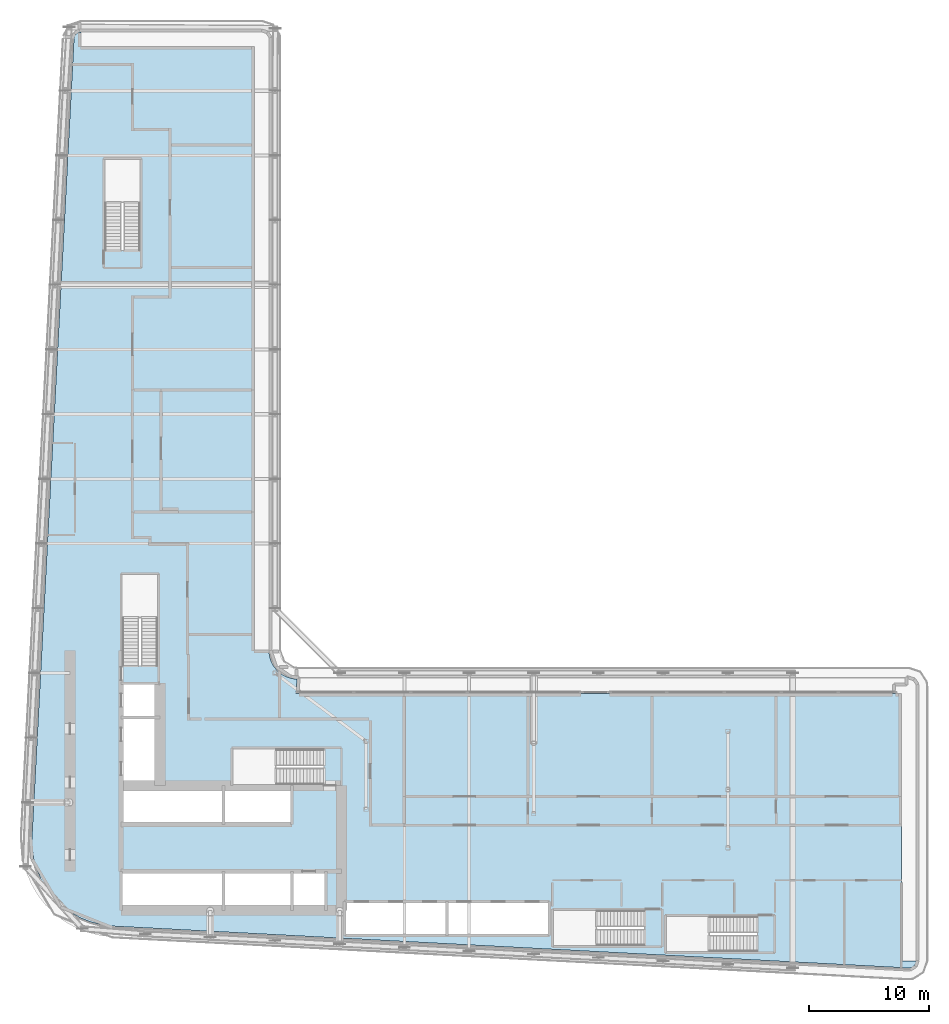
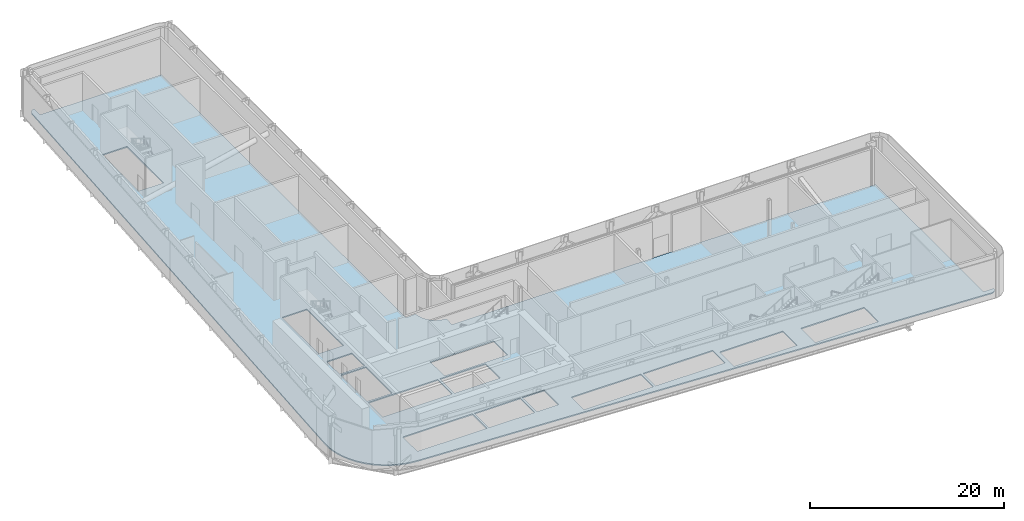
# One storey, part 14 of 30: 1 slab.
"""IFC4 building model written with IfcOpenShell, lengths in metres."""

from ifc_helpers import new_model, si_unit, direction, frame, origin, place, context, subcontext, project, spatial, polyline, outline, extrude, material, layer, layer_set, type_object, element, save


model = new_model("IFC4")

# Units and contexts
model_context = context("Model", 3, precision=1e-05, world=origin(), true_north=direction((0.0, 1.0)))
body_context = subcontext(model_context, "Body", "Model", "MODEL_VIEW")
ifc_project = project(units=[si_unit("LENGTHUNIT", "METRE"), si_unit("AREAUNIT", "SQUARE_METRE"), si_unit("VOLUMEUNIT", "CUBIC_METRE"), si_unit("PLANEANGLEUNIT", "RADIAN"), si_unit("MASSUNIT", "GRAM", prefix="KILO")], contexts=[model_context])

# Site, building, storey
site_placement = place(None, origin())
site = spatial("IfcSite", under=ifc_project, at=site_placement, CompositionType="ELEMENT")
building_placement = place(site_placement, origin())
building = spatial("IfcBuilding", under=site, at=building_placement, Name="Kheshtan School and Residences Tower", CompositionType="ELEMENT")
storey_placement = place(building_placement, frame((0.0, 0.0, 89.0)))
storey = spatial("IfcBuildingStorey", under=building, at=storey_placement, Name="L20", CompositionType="ELEMENT", Elevation=89.0)

# Slab
ifc_material = material(Name="Concrete C40/50", Category="concrete")
ifc_layer = layer(ifc_material, 0.14990234375)
ifc_layer_set = layer_set([ifc_layer], Name="Floor slab 150 Concrete C40/50")
slab_type = type_object("IfcSlabType", Name="Floor slab 150 Concrete C40/50", PredefinedType="FLOOR", material=ifc_layer_set)
slab_placement = place(storey_placement, frame((0.0, 0.0, -0.14990234375)))
element("IfcSlab", 1, at=slab_placement, inside=storey, type_object=slab_type, Name="Floor slab L20", PredefinedType="FLOOR", context=body_context, shape_type="SweptSolid", body=[
    extrude(outline(polyline([(30.931884765625, 98.840087890625), (30.98291015625, 98.904052734375), (31.04296875, 98.9619140625), (31.10693359375, 99.008056640625), (31.18310546875, 99.047119140625), (31.260986328125, 99.074951171875), (31.341064453125, 99.092041015625), (31.423095703125, 99.097900390625), (31.423095703125, 97.902099609375), (31.423095703125, 97.90087890625), (31.424072265625, 97.89990234375), (31.425048828125, 97.89990234375), (45.85009765625, 97.89990234375), (45.85498046875, 97.89990234375), (45.860107421875, 97.89892578125), (45.864990234375, 97.89794921875), (45.868896484375, 97.89599609375), (45.8740234375, 97.89404296875), (45.8779296875, 97.89208984375), (45.882080078125, 97.888916015625), (45.885009765625, 97.885009765625), (45.888916015625, 97.882080078125), (45.89208984375, 97.8779296875), (45.89404296875, 97.8740234375), (45.89599609375, 97.868896484375), (45.89794921875, 97.864990234375), (45.89892578125, 97.860107421875), (45.89990234375, 97.85498046875), (45.89990234375, 97.85009765625), (45.89990234375, 47.501953125), (45.89990234375, 47.5009765625), (45.90087890625, 47.5), (45.89990234375, 47.5), (45.89990234375, 47.429931640625), (45.905029296875, 47.361083984375), (47.10205078125, 47.43994140625), (47.118896484375, 47.18603515625), (47.179931640625, 46.87890625), (47.281005859375, 46.5810546875), (47.419921875, 46.299072265625), (47.593994140625, 46.0390625), (47.801025390625, 45.801025390625), (48.0390625, 45.593994140625), (48.299072265625, 45.419921875), (48.5810546875, 45.281005859375), (48.87890625, 45.179931640625), (49.18603515625, 45.118896484375), (49.43994140625, 45.10205078125), (49.361083984375, 43.905029296875), (49.429931640625, 43.89990234375), (49.5009765625, 43.89990234375), (49.501953125, 43.89990234375), (99.39990234375, 43.89990234375), (99.85009765625, 43.89990234375), (99.85498046875, 43.89990234375), (99.860107421875, 43.89892578125), (99.864990234375, 43.89794921875), (99.868896484375, 43.89599609375), (99.8740234375, 43.89404296875), (99.8779296875, 43.89208984375), (99.882080078125, 43.888916015625), (99.885009765625, 43.885009765625), (99.888916015625, 43.882080078125), (99.89208984375, 43.8779296875), (99.89404296875, 43.8740234375), (99.89599609375, 43.868896484375), (99.89794921875, 43.864990234375), (99.89892578125, 43.860107421875), (99.89990234375, 43.85498046875), (99.89990234375, 43.85009765625), (99.89990234375, 21.5830078125), (99.89990234375, 21.58203125), (99.90087890625, 21.5810546875), (99.902099609375, 21.5810546875), (101.097900390625, 21.5810546875), (101.092041015625, 21.5009765625), (101.075927734375, 21.4208984375), (101.049072265625, 21.343017578125), (101.011962890625, 21.27099609375), (100.968017578125, 21.2080078125), (100.912109375, 21.14794921875), (100.847900390625, 21.094970703125), (100.781005859375, 21.052978515625), (100.708984375, 21.02099609375), (100.6279296875, 20.9970703125), (100.548095703125, 20.985107421875), (100.444091796875, 20.98291015625), (100.43798828125, 20.98291015625), (34.056884765625, 24.47802734375), (33.114990234375, 24.590087890625), (32.215087890625, 24.819091796875), (31.35205078125, 25.1630859375), (30.541015625, 25.616943359375), (29.798095703125, 26.172119140625), (29.134033203125, 26.820068359375), (28.55908203125, 27.550048828125), (28.0849609375, 28.345947265625), (27.718017578125, 29.200927734375), (27.466064453125, 30.093994140625), (27.3330078125, 31.013916015625), (27.320068359375, 31.965087890625), (27.320068359375, 31.970947265625), (30.822021484375, 98.5009765625), (30.822998046875, 98.508056640625), (30.8359375, 98.613037109375), (30.85693359375, 98.69189453125), (30.888916015625, 98.77001953125), (30.931884765625, 98.840087890625)]), holes=[polyline([(34.875, 28.925048828125), (34.875, 25.925048828125), (43.175048828125, 25.925048828125), (43.175048828125, 28.925048828125), (34.875, 28.925048828125)]), polyline([(43.425048828125, 25.925048828125), (48.875, 25.925048828125), (48.875, 28.925048828125), (43.425048828125, 28.925048828125), (43.425048828125, 25.925048828125)]), polyline([(43.175048828125, 36.074951171875), (34.875, 36.074951171875), (34.875, 33.074951171875), (43.175048828125, 33.074951171875), (43.175048828125, 36.074951171875)]), polyline([(34.875, 41.77490234375), (34.875, 36.324951171875), (37.875, 36.324951171875), (37.875, 41.77490234375), (34.875, 41.77490234375)]), polyline([(34.875, 44.625), (34.875, 42.02490234375), (37.875, 42.02490234375), (37.875, 44.625), (34.875, 44.625)]), polyline([(37.800048828125, 46.25), (37.800048828125, 53.81005859375), (34.85009765625, 53.81005859375), (34.85009765625, 46.260009765625), (36.25, 46.260009765625), (36.25, 46.25), (37.800048828125, 46.25)]), polyline([(33.39990234375, 88.4599609375), (33.39990234375, 80.909912109375), (34.800048828125, 80.909912109375), (34.800048828125, 80.89990234375), (36.35009765625, 80.89990234375), (36.35009765625, 88.4599609375), (33.39990234375, 88.4599609375)]), polyline([(87.81005859375, 22.35009765625), (87.81005859375, 23.75), (87.820068359375, 23.75), (87.820068359375, 25.300048828125), (80.260009765625, 25.300048828125), (80.260009765625, 22.35009765625), (87.81005859375, 22.35009765625)]), polyline([(70.85009765625, 22.85009765625), (78.39990234375, 22.85009765625), (78.39990234375, 24.25), (78.409912109375, 24.25), (78.409912109375, 25.800048828125), (70.85009765625, 25.800048828125), (70.85009765625, 22.85009765625)]), polyline([(61.824951171875, 26.425048828125), (53.52490234375, 26.425048828125), (53.52490234375, 23.824951171875), (61.824951171875, 23.824951171875), (61.824951171875, 26.425048828125)]), polyline([(62.074951171875, 23.824951171875), (70.375, 23.824951171875), (70.375, 26.425048828125), (62.074951171875, 26.425048828125), (62.074951171875, 23.824951171875)]), polyline([(49.125, 28.925048828125), (49.125, 25.925048828125), (51.72509765625, 25.925048828125), (51.72509765625, 28.925048828125), (49.125, 28.925048828125)]), polyline([(43.425048828125, 33.074951171875), (48.875, 33.074951171875), (48.875, 36.074951171875), (43.425048828125, 36.074951171875), (43.425048828125, 33.074951171875)]), polyline([(51.64990234375, 39.25), (44.090087890625, 39.25), (44.090087890625, 36.300048828125), (51.639892578125, 36.300048828125), (51.639892578125, 37.699951171875), (51.64990234375, 37.699951171875), (51.64990234375, 39.25)])]), origin(), (0.0, 0.0, 1.0), 0.14990234375),
])

save(model, "model.ifc")
